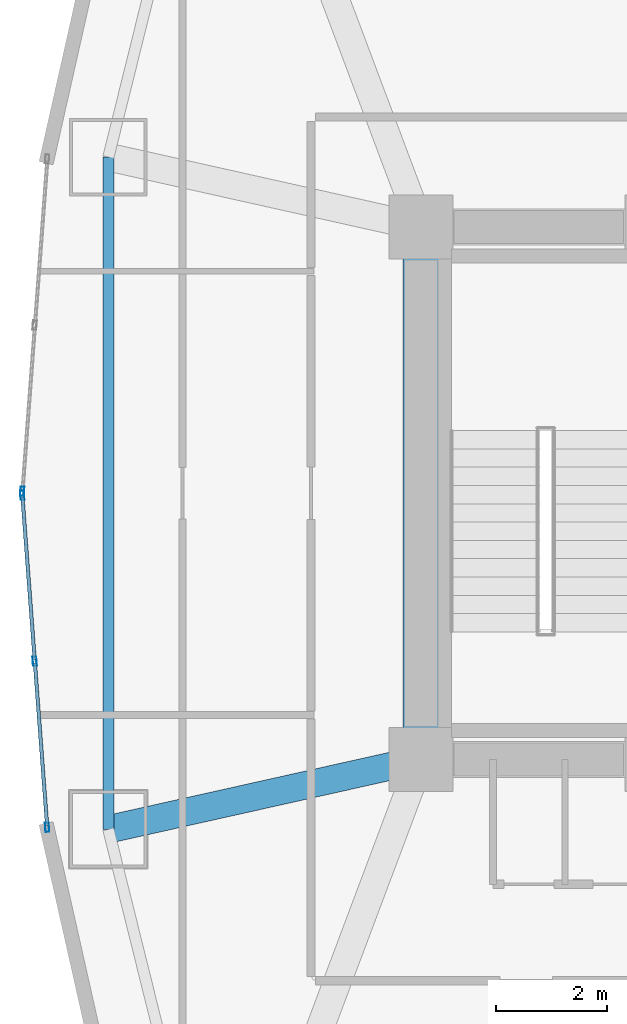
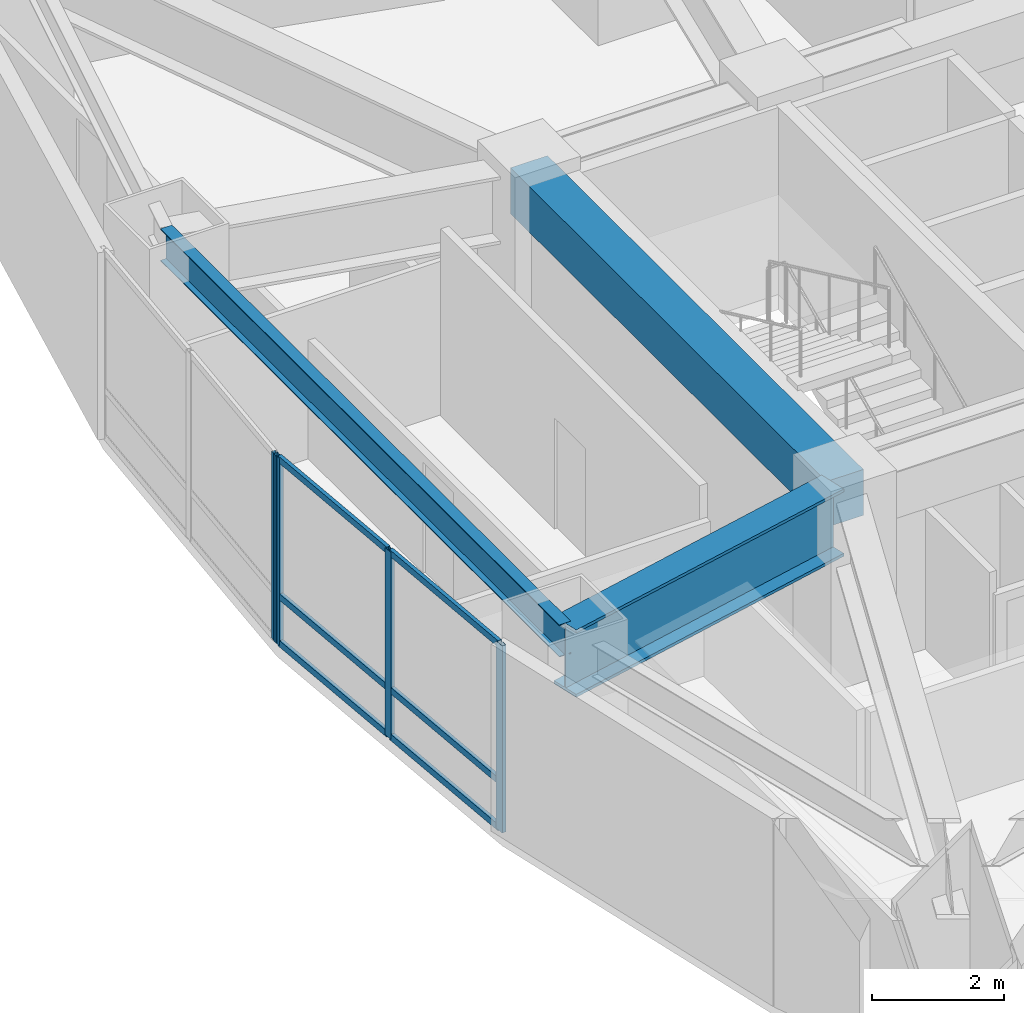
# One storey, part 3 of 19: 10 members, 3 beams, 2 elements without a shape of their own.
"""IFC4 building model written with IfcOpenShell, lengths in metres."""

from ifc_helpers import new_model, si_unit, direction, frame, origin, origin_2d, place, context, subcontext, project, spatial, rectangle, hollow_rectangle, i_section, extrude, material, layer, layer_set, material_profile, profile_set, type_object, element, aggregate, save


model = new_model("IFC4")

# Units and contexts
model_context = context("Model", 3, precision=1e-05, world=origin(), true_north=direction((0.0, 1.0)))
body_context = subcontext(model_context, "Body", "Model", "MODEL_VIEW")
ifc_project = project(units=[si_unit("LENGTHUNIT", "METRE"), si_unit("AREAUNIT", "SQUARE_METRE"), si_unit("VOLUMEUNIT", "CUBIC_METRE"), si_unit("PLANEANGLEUNIT", "RADIAN"), si_unit("MASSUNIT", "GRAM", prefix="KILO")], contexts=[model_context])

# Site, building, storey
site_placement = place(None, origin())
site = spatial("IfcSite", under=ifc_project, at=site_placement, CompositionType="ELEMENT")
building_placement = place(site_placement, origin())
building = spatial("IfcBuilding", under=site, at=building_placement, Name="Menara Vayukalpa", CompositionType="ELEMENT")
storey_placement = place(building_placement, frame((0.0, 0.0, 68.52001953125)))
storey = spatial("IfcBuildingStorey", under=building, at=storey_placement, Name="L16", CompositionType="ELEMENT", Elevation=68.52001953125)

# Beams
ifc_material_1 = material(Name="Concrete C60/75", Category="concrete")
ifc_material_profile_1 = material_profile(ifc_material_1, rectangle(XDim=0.64990234375, YDim=0.85009765625, at=origin_2d()), Name="RC 650x850")
ifc_profile_set_1 = profile_set([ifc_material_profile_1], Name="Concrete C60/75")
beam_type_1 = type_object("IfcBeamType", Name="BM-CB1", PredefinedType="BEAM", material=ifc_profile_set_1)
beam_1_placement = place(storey_placement, frame((17.800048828125, 17.199951171875, 3.044921875), z_axis=(0.0, 1.0, 0.0), x_axis=(-1.0, 0.0, 0.0)))
element("IfcBeam", 1, at=beam_1_placement, inside=storey, type_object=beam_type_1, Name="L16 Core Tie Beam CBR7", PredefinedType="BEAM", context=body_context, shape_type="SweptSolid", body=[
    extrude(rectangle(XDim=0.64990234375, YDim=0.85009765625, at=origin_2d()), origin(), (0.0, 0.0, 1.0), 9.60009765625),
])
ifc_material_2 = material(Name="Steel S355", Category="steel")
ifc_material_profile_2 = material_profile(ifc_material_2, i_section(OverallWidth=0.199951171875, OverallDepth=0.60009765625, WebThickness=0.010986328125, FlangeThickness=0.01708984375, at=origin_2d()), Name="WF 600x200x11x17")
ifc_profile_set_2 = profile_set([ifc_material_profile_2], Name="Steel S355")
beam_type_2 = type_object("IfcBeamType", Name="BM-SP1", PredefinedType="SPANDREL", material=ifc_profile_set_2)
beam_2_placement = place(storey_placement, frame((12.164306640625, 28.0595703125, 3.169921875), z_axis=(0.0, -1.0, 0.0), x_axis=(1.0, 0.0, 0.0)))
element("IfcBeam", 2, at=beam_2_placement, inside=storey, type_object=beam_type_2, Name="L16 Perimeter Spandrel Beam SP05", PredefinedType="SPANDREL", context=body_context, shape_type="SweptSolid", body=[
    extrude(i_section(OverallWidth=0.199951171875, OverallDepth=0.60009765625, WebThickness=0.010986328125, FlangeThickness=0.01708984375, at=origin_2d()), origin(), (0.0, 0.0, 1.0), 12.119140625),
])
ifc_material_3 = material(Name="Steel S460", Category="steel")
ifc_material_profile_3 = material_profile(ifc_material_3, i_section(OverallWidth=0.5, OverallDepth=1.25, WebThickness=0.028076171875, FlangeThickness=0.054931640625, at=origin_2d()), Name="WG 1250x500x28x55")
ifc_profile_set_3 = profile_set([ifc_material_profile_3], Name="Steel S460")
beam_type_3 = type_object("IfcBeamType", Name="BM-TG2", PredefinedType="BEAM", material=ifc_profile_set_3)
beam_3_placement = place(storey_placement, frame((17.555908203125, 17.1455078125, 2.844970703125), z_axis=(-0.975920137818, -0.218128138031, 0.0), x_axis=(0.218128138031, -0.975920137818, 0.0)))
element("IfcBeam", 3, at=beam_3_placement, inside=storey, type_object=beam_type_3, Name="L16 Primary Radial Girder RG06", PredefinedType="BEAM", context=body_context, shape_type="SweptSolid", body=[
    extrude(i_section(OverallWidth=0.5, OverallDepth=1.25, WebThickness=0.028076171875, FlangeThickness=0.054931640625, at=origin_2d()), origin(), (0.0, 0.0, 1.0), 5.524658203125),
])

# Curtain wall, member
ifc_material_4 = material(Name="Anodised Terracotta Aluminium Alloy 6063-T6", Category="masonry")
ifc_layer = layer(ifc_material_4, 0.1650390625)
ifc_layer_set = layer_set([ifc_layer], Name="Anodised Terracotta Aluminium Alloy 6063-T6")
curtain_wall_type = type_object("IfcCurtainWallType", Name="CW-CW2", PredefinedType="USERDEFINED", material=ifc_layer_set)
curtain_wall_1_placement = place(storey_placement, origin())
curtain_wall_1 = element("IfcCurtainWall", 4, at=curtain_wall_1_placement, inside=storey, type_object=curtain_wall_type, Name="L16 Low Rise Terracotta Ribbon Curtain Wall CW2 10", ObjectType="UNITISED", PredefinedType="USERDEFINED")
ifc_material_5 = material(Name="Anodised Terracotta Aluminium Alloy 6063-T6", Category="masonry")
ifc_material_profile_4 = material_profile(ifc_material_5, hollow_rectangle(XDim=0.070068359375, YDim=0.1650390625, WallThickness=0.00390625, at=origin_2d()), Name="ALU 70x165x4")
ifc_profile_set_4 = profile_set([ifc_material_profile_4], Name="Anodised Terracotta Aluminium Alloy 6063-T6")
member_type_1 = type_object("IfcMemberType", Name="CWM-CW2", PredefinedType="MULLION", material=ifc_profile_set_4)
member_1_placement = place(storey_placement, frame((10.6123046875, 22.034912109375, 0.0), z_axis=(0.0, 0.0, 1.0), x_axis=(0.997198941676, -0.074794857576, 0.0)))
member_1 = element("IfcMember", 5, at=member_1_placement, type_object=member_type_1, Name="CW2 mullion 3", PredefinedType="MULLION", context=body_context, shape_type="SweptSolid", body=[
    extrude(hollow_rectangle(XDim=0.070068359375, YDim=0.1650390625, WallThickness=0.00390625, at=origin_2d()), origin(), (0.0, 0.0, 1.0), 3.469970703125),
])
aggregate(curtain_wall_1, [member_1])

# Curtain wall, members
curtain_wall_2_placement = place(storey_placement, origin())
curtain_wall_2 = element("IfcCurtainWall", 6, at=curtain_wall_2_placement, inside=storey, type_object=curtain_wall_type, Name="L16 Low Rise Terracotta Ribbon Curtain Wall CW2 11", ObjectType="UNITISED", PredefinedType="USERDEFINED")
member_2_placement = place(storey_placement, frame((10.6123046875, 21.965087890625, 0.0), z_axis=(0.0, 0.0, 1.0), x_axis=(0.997198941676, 0.074794857576, 0.0)))
member_2 = element("IfcMember", 7, at=member_2_placement, type_object=member_type_1, Name="CW2 mullion 1", PredefinedType="MULLION", context=body_context, shape_type="SweptSolid", body=[
    extrude(hollow_rectangle(XDim=0.070068359375, YDim=0.1650390625, WallThickness=0.00390625, at=origin_2d()), origin(), (0.0, 0.0, 1.0), 3.469970703125),
])
member_3_placement = place(storey_placement, frame((10.8369140625, 18.97021484375, 0.0), z_axis=(0.0, 0.0, 1.0), x_axis=(0.997198941676, 0.074794857576, 0.0)))
member_3 = element("IfcMember", 8, at=member_3_placement, type_object=member_type_1, Name="CW2 mullion 2", PredefinedType="MULLION", context=body_context, shape_type="SweptSolid", body=[
    extrude(hollow_rectangle(XDim=0.070068359375, YDim=0.1650390625, WallThickness=0.00390625, at=origin_2d()), origin(), (0.0, 0.0, 1.0), 3.469970703125),
])
member_4_placement = place(storey_placement, frame((11.0615234375, 15.975341796875, 0.0), z_axis=(0.0, 0.0, 1.0), x_axis=(0.997198941676, 0.074794857576, 0.0)))
member_4 = element("IfcMember", 9, at=member_4_placement, type_object=member_type_1, Name="CW2 mullion 3", PredefinedType="MULLION", context=body_context, shape_type="SweptSolid", body=[
    extrude(hollow_rectangle(XDim=0.070068359375, YDim=0.1650390625, WallThickness=0.00390625, at=origin_2d()), origin(), (0.0, 0.0, 1.0), 3.469970703125),
])
ifc_material_6 = material(Name="Anodised Terracotta Aluminium Alloy 6063-T6", Category="masonry")
ifc_material_profile_5 = material_profile(ifc_material_6, hollow_rectangle(XDim=0.06494140625, YDim=0.1201171875, WallThickness=0.00341796875, at=origin_2d()), Name="ALU 65x120x3.5")
ifc_profile_set_5 = profile_set([ifc_material_profile_5], Name="Anodised Terracotta Aluminium Alloy 6063-T6")
member_type_2 = type_object("IfcMemberType", Name="CWT-CW2", PredefinedType="USERDEFINED", material=ifc_profile_set_5)
member_5_placement = place(storey_placement, frame((10.614990234375, 21.93017578125, 0.032470703125), z_axis=(0.074742357441, -0.997202878057, 0.0), x_axis=(0.997202878057, 0.074742357441, 0.0)))
member_5 = element("IfcMember", 10, at=member_5_placement, type_object=member_type_2, Name="CW2 transom 1.1", ObjectType="TRANSOM", PredefinedType="USERDEFINED", context=body_context, shape_type="SweptSolid", body=[
    extrude(hollow_rectangle(XDim=0.06494140625, YDim=0.1201171875, WallThickness=0.00341796875, at=origin_2d()), origin(), (0.0, 0.0, 1.0), 2.933349609375),
])
member_6_placement = place(storey_placement, frame((10.614990234375, 21.93017578125, 0.89990234375), z_axis=(0.074742357441, -0.997202878057, 0.0), x_axis=(0.997202878057, 0.074742357441, 0.0)))
member_6 = element("IfcMember", 11, at=member_6_placement, type_object=member_type_2, Name="CW2 transom 1.2", ObjectType="TRANSOM", PredefinedType="USERDEFINED", context=body_context, shape_type="SweptSolid", body=[
    extrude(hollow_rectangle(XDim=0.06494140625, YDim=0.1201171875, WallThickness=0.00341796875, at=origin_2d()), origin(), (0.0, 0.0, 1.0), 2.933349609375),
])
member_7_placement = place(storey_placement, frame((10.614990234375, 21.93017578125, 3.4375), z_axis=(0.074742357441, -0.997202878057, 0.0), x_axis=(0.997202878057, 0.074742357441, 0.0)))
member_7 = element("IfcMember", 12, at=member_7_placement, type_object=member_type_2, Name="CW2 transom 1.3", ObjectType="TRANSOM", PredefinedType="USERDEFINED", context=body_context, shape_type="SweptSolid", body=[
    extrude(hollow_rectangle(XDim=0.06494140625, YDim=0.1201171875, WallThickness=0.00341796875, at=origin_2d()), origin(), (0.0, 0.0, 1.0), 2.933349609375),
])
member_8_placement = place(storey_placement, frame((10.839599609375, 18.935302734375, 0.032470703125), z_axis=(0.074825123723, -0.997196671103, 0.0), x_axis=(0.997196671103, 0.074825123723, 0.0)))
member_8 = element("IfcMember", 13, at=member_8_placement, type_object=member_type_2, Name="CW2 transom 2.1", ObjectType="TRANSOM", PredefinedType="USERDEFINED", context=body_context, shape_type="SweptSolid", body=[
    extrude(hollow_rectangle(XDim=0.06494140625, YDim=0.1201171875, WallThickness=0.00341796875, at=origin_2d()), origin(), (0.0, 0.0, 1.0), 2.933349609375),
])
member_9_placement = place(storey_placement, frame((10.839599609375, 18.935302734375, 0.89990234375), z_axis=(0.074825123723, -0.997196671103, 0.0), x_axis=(0.997196671103, 0.074825123723, 0.0)))
member_9 = element("IfcMember", 14, at=member_9_placement, type_object=member_type_2, Name="CW2 transom 2.2", ObjectType="TRANSOM", PredefinedType="USERDEFINED", context=body_context, shape_type="SweptSolid", body=[
    extrude(hollow_rectangle(XDim=0.06494140625, YDim=0.1201171875, WallThickness=0.00341796875, at=origin_2d()), origin(), (0.0, 0.0, 1.0), 2.933349609375),
])
member_10_placement = place(storey_placement, frame((10.839599609375, 18.935302734375, 3.4375), z_axis=(0.074825123723, -0.997196671103, 0.0), x_axis=(0.997196671103, 0.074825123723, 0.0)))
member_10 = element("IfcMember", 15, at=member_10_placement, type_object=member_type_2, Name="CW2 transom 2.3", ObjectType="TRANSOM", PredefinedType="USERDEFINED", context=body_context, shape_type="SweptSolid", body=[
    extrude(hollow_rectangle(XDim=0.06494140625, YDim=0.1201171875, WallThickness=0.00341796875, at=origin_2d()), origin(), (0.0, 0.0, 1.0), 2.933349609375),
])
aggregate(curtain_wall_2, [member_2, member_3, member_4, member_5, member_6, member_7, member_8, member_9, member_10])

save(model, "model.ifc")
